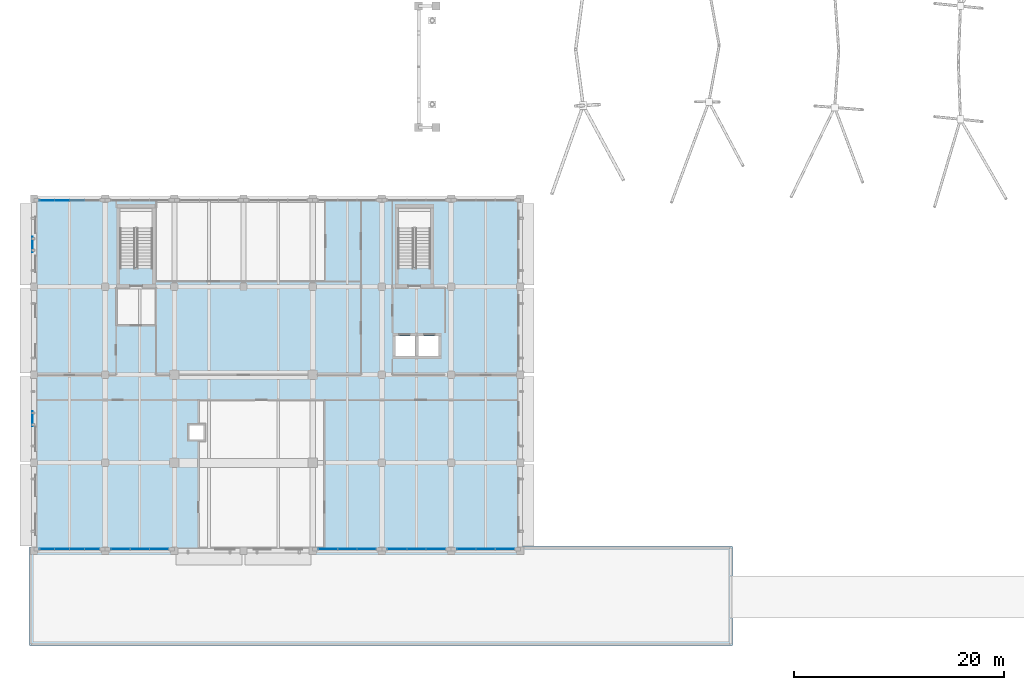
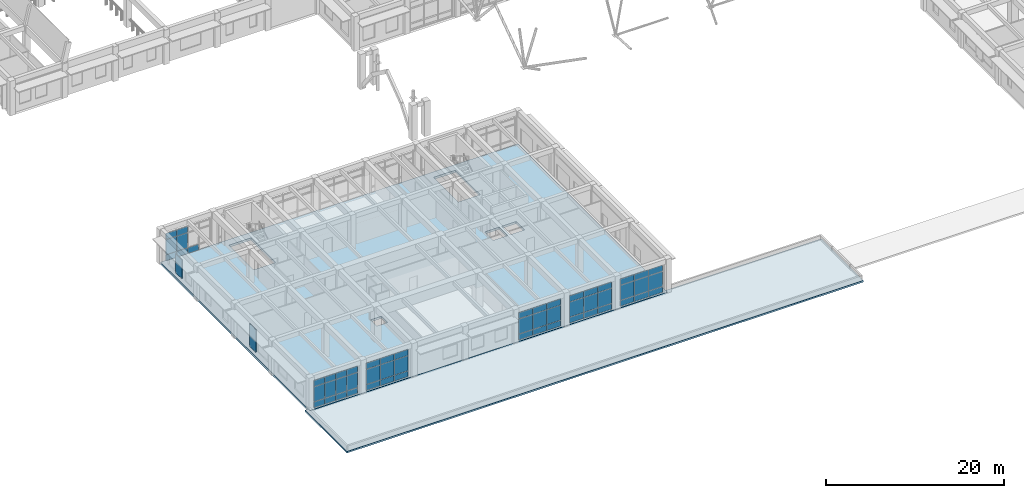
# One storey, part 31 of 75: 57 plates, 2 slabs, 6 elements without a shape of their own.
"""IFC4 building model written with IfcOpenShell, lengths in metres."""

import ifcopenshell
import ifcopenshell.guid

model = None  # the IFC model being written
_history = None  # IfcOwnerHistory: only IFC2X3 demands one
_inside = {}  # id of a spatial element -> (the spatial element, [elements in it])
_under = {}  # id of a project, library or spatial element -> (it, [spatial elements below it])
_declared = {}  # id of a project -> (the project, [libraries it declares])
_typed = {}  # id of a type object -> (the type object, [elements of that type])
_made_of = {}  # id of a material, layer set ... -> (it, [elements and type objects made of it])


def new_model(schema):
    """Start an empty IFC model of exactly this schema.

    Asked for "IFC4X3", IfcOpenShell would pick the latest addendum, in which some entities
    have other attributes; the version numbers below select the first issue.
    IFC2X3 requires an IfcOwnerHistory on every rooted entity: one is made here for all.
    """
    global model, _history
    if schema == "IFC4X3":
        model = ifcopenshell.file(schema_version=(4, 3, 0, 0))
    else:
        model = ifcopenshell.file(schema=schema)
    _inside.clear()
    _under.clear()
    _declared.clear()
    _typed.clear()
    _made_of.clear()
    _history = None
    if model.schema == "IFC2X3":
        org = make("IfcOrganization", Name="unknown")
        user = make(
            "IfcPersonAndOrganization",
            ThePerson=make("IfcPerson", FamilyName="unknown"),
            TheOrganization=org,
        )
        app = make(
            "IfcApplication",
            ApplicationDeveloper=org,
            Version="unknown",
            ApplicationFullName="unknown",
            ApplicationIdentifier="unknown",
        )
        _history = make(
            "IfcOwnerHistory",
            OwningUser=user,
            OwningApplication=app,
            ChangeAction="ADDED",
            CreationDate=0,
        )
    return model


def make(cls, **values):
    """One entity of the class cls with the attributes given. An attribute that is None is left unset."""
    return model.create_entity(
        cls, **{name: value for name, value in values.items() if value is not None}
    )


def rooted(cls, **values):
    """An entity with a GlobalId (a new one), such as an element, a storey or a relation."""
    return make(cls, GlobalId=ifcopenshell.guid.new(), OwnerHistory=_history, **values)


def si_unit(unit_type, name, prefix=None):
    """IfcSIUnit, for example si_unit("LENGTHUNIT", "METRE", prefix="MILLI")."""
    return make("IfcSIUnit", UnitType=unit_type, Prefix=prefix, Name=name)


def assignment(units):
    """IfcUnitAssignment: the units of a project."""
    return None if units is None else make("IfcUnitAssignment", Units=units)


def point(xyz):
    """IfcCartesianPoint."""
    return None if xyz is None else make("IfcCartesianPoint", Coordinates=xyz)


def direction(xyz):
    """IfcDirection."""
    return None if xyz is None else make("IfcDirection", DirectionRatios=xyz)


def frame(location, z_axis=None, x_axis=None):
    """IfcAxis2Placement3D, a coordinate frame: its origin and axes. An axis left out is left unset."""
    return make(
        "IfcAxis2Placement3D",
        Location=point(location),
        Axis=direction(z_axis),
        RefDirection=direction(x_axis),
    )


def frame_2d(location, x_axis=None):
    """IfcAxis2Placement2D, a coordinate frame in the plane: its origin and x axis."""
    return make(
        "IfcAxis2Placement2D", Location=point(location), RefDirection=direction(x_axis)
    )


def origin():
    """The frame at (0, 0, 0) with its axes left unset."""
    return frame((0.0, 0.0, 0.0))


def origin_2d():
    """The frame at (0, 0) in the plane with its x axis left unset."""
    return frame_2d((0.0, 0.0))


def place(relative_to, where):
    """IfcLocalPlacement: puts the frame where relative to a parent placement (None: the world)."""
    return make(
        "IfcLocalPlacement", PlacementRelTo=relative_to, RelativePlacement=where
    )


def context(
    kind, dimensions, precision=None, world=None, true_north=None, identifier=None
):
    """IfcGeometricRepresentationContext, for example the 3D "Model" context."""
    return make(
        "IfcGeometricRepresentationContext",
        ContextIdentifier=identifier,
        ContextType=kind,
        CoordinateSpaceDimension=dimensions,
        Precision=precision,
        WorldCoordinateSystem=world,
        TrueNorth=true_north,
    )


def subcontext(parent, identifier, kind, view, scale=None):
    """IfcGeometricRepresentationSubContext, for example "Body" below "Model"."""
    return make(
        "IfcGeometricRepresentationSubContext",
        ContextIdentifier=identifier,
        ContextType=kind,
        ParentContext=parent,
        TargetScale=scale,
        TargetView=view,
    )


def project(units=None, contexts=None):
    """IfcProject with its units and contexts."""
    return rooted(
        "IfcProject",
        Name="project",
        RepresentationContexts=contexts,
        UnitsInContext=assignment(units),
    )


def spatial(cls, under=None, at=None, **own):
    """A site, building, storey or space (cls), placed at a placement, below another one or the project."""
    s = rooted(cls, ObjectPlacement=at, **own)
    if under is not None:
        _under.setdefault(under.id(), (under, []))[1].append(s)
    return s


def polyline(points):
    """IfcPolyline through the points."""
    return make("IfcPolyline", Points=[point(p) for p in points])


def profile(cls, at=None, kind="AREA", **sizes):
    """A parametric profile (cls). Its sizes go by their IFC names, for example OverallWidth=200.0."""
    return make(cls, ProfileType=kind, Position=at, **sizes)


def rectangle(**sizes):
    """IfcRectangleProfileDef."""
    return profile("IfcRectangleProfileDef", **sizes)


def outline(outer, holes=None, kind="AREA"):
    """IfcArbitraryClosedProfileDef: a profile drawn as a closed curve; with holes, ...WithVoids."""
    if holes is None:
        return make("IfcArbitraryClosedProfileDef", ProfileType=kind, OuterCurve=outer)
    return make(
        "IfcArbitraryProfileDefWithVoids",
        ProfileType=kind,
        OuterCurve=outer,
        InnerCurves=holes,
    )


def extrude(swept, where, along, depth):
    """IfcExtrudedAreaSolid: the profile swept, set in the frame where, extruded along a direction by depth."""
    return make(
        "IfcExtrudedAreaSolid",
        SweptArea=swept,
        Position=where,
        ExtrudedDirection=direction(along),
        Depth=depth,
    )


def shape(context_of_items, identifier, shape_type, items):
    """IfcShapeRepresentation: the items that make up one representation, for example the "Body"."""
    return make(
        "IfcShapeRepresentation",
        ContextOfItems=context_of_items,
        RepresentationIdentifier=identifier,
        RepresentationType=shape_type,
        Items=items,
    )


def material(Name=None, Category=None):
    """IfcMaterial."""
    return make("IfcMaterial", Name=Name, Category=Category)


def layer(
    of_material, thickness, ventilated=None, Name=None, Category=None, Priority=None
):
    """IfcMaterialLayer: one layer of a wall or slab, of a material (None: an air gap)."""
    return make(
        "IfcMaterialLayer",
        Material=of_material,
        LayerThickness=thickness,
        IsVentilated=ventilated,
        Name=Name,
        Category=Category,
        Priority=Priority,
    )


def layer_set(layers, Name=None):
    """IfcMaterialLayerSet."""
    return make("IfcMaterialLayerSet", MaterialLayers=layers, LayerSetName=Name)


def made_of(thing, what):
    """Note that an element or type object is made of a material, layer set ...; save() writes the relation."""
    if what is not None:
        _made_of.setdefault(what.id(), (what, []))[1].append(thing)
    return thing


def type_object(cls, material=None, **own):
    """A type object (cls), such as IfcWallType, which elements share."""
    return made_of(rooted(cls, **own), material)


def element(
    cls,
    number,
    at=None,
    inside=None,
    cuts=None,
    type_object=None,
    material=None,
    context=None,
    identifier="Body",
    shape_type=None,
    held_by="IfcProductDefinitionShape",
    body=None,
    shapes=None,
    **own,
):
    """One element of the class cls, such as IfcWall. Its Tag is "e" and its number.

    at: its placement. inside: the storey or other place that contains it. cuts: it is an
    opening in that element (IfcRelVoidsElement). A single representation is given by context,
    identifier, shape_type and body (its items); several are given by shapes. held_by: the class
    of the entity that holds the representations. save() writes the other relations.
    """
    e = rooted(cls, Tag="e%d" % number, ObjectPlacement=at, **own)
    if body is not None:
        shapes = [shape(context, identifier, shape_type, body)]
    if shapes is not None:
        e.Representation = make(held_by, Representations=shapes)
    if inside is not None:
        _inside.setdefault(inside.id(), (inside, []))[1].append(e)
    if cuts is not None:
        rooted(
            "IfcRelVoidsElement", RelatingBuildingElement=cuts, RelatedOpeningElement=e
        )
    if type_object is not None:
        _typed.setdefault(type_object.id(), (type_object, []))[1].append(e)
    return made_of(e, material)


def aggregate(whole, parts):
    """IfcRelAggregates: a whole, such as a stair, and the parts it consists of."""
    return rooted("IfcRelAggregates", RelatingObject=whole, RelatedObjects=parts)


def save(model, path):
    """Write the relations noted so far, then the file.

    IfcRelAggregates (storeys below a building ...), IfcRelContainedInSpatialStructure (elements
    in a storey), IfcRelDefinesByType, IfcRelAssociatesMaterial and IfcRelDeclares: one each for
    every whole, place, type object, material and project.
    """
    for whole, parts in _under.values():
        aggregate(whole, parts)
    for where, things in _inside.values():
        rooted(
            "IfcRelContainedInSpatialStructure",
            RelatedElements=things,
            RelatingStructure=where,
        )
    for kind, things in _typed.values():
        rooted("IfcRelDefinesByType", RelatedObjects=things, RelatingType=kind)
    for what, things in _made_of.values():
        rooted("IfcRelAssociatesMaterial", RelatedObjects=things, RelatingMaterial=what)
    for by, libraries in _declared.values():
        rooted("IfcRelDeclares", RelatingContext=by, RelatedDefinitions=libraries)
    model.write(path)


model = new_model("IFC4")

# Units and contexts
model_context = context("Model", 3, precision=1e-05, world=origin(), true_north=direction((0.0, 1.0)))
body_context = subcontext(model_context, "Body", "Model", "MODEL_VIEW")
ifc_project = project(units=[si_unit("LENGTHUNIT", "METRE"), si_unit("AREAUNIT", "SQUARE_METRE"), si_unit("VOLUMEUNIT", "CUBIC_METRE"), si_unit("PLANEANGLEUNIT", "RADIAN"), si_unit("MASSUNIT", "GRAM", prefix="KILO")], contexts=[model_context])

# Site, building, storey
site_placement = place(None, origin())
site = spatial("IfcSite", under=ifc_project, at=site_placement, CompositionType="ELEMENT")
building_placement = place(site_placement, origin())
building = spatial("IfcBuilding", under=site, at=building_placement, Name="Kolvaren Faculty of Natural Sciences", CompositionType="ELEMENT")
storey_placement = place(building_placement, frame((0.0, 0.0, 5.39990234375)))
storey = spatial("IfcBuildingStorey", under=building, at=storey_placement, Name="L01", CompositionType="ELEMENT", Elevation=5.39990234375)

# Curtain wall, plates
ifc_material_1 = material(Name="Thermally broken anodised aluminium framing", Category="aluminium")
ifc_layer_1 = layer(ifc_material_1, 0.179931640625)
ifc_layer_set_1 = layer_set([ifc_layer_1], Name="Thermally broken anodised aluminium framing")
curtain_wall_type = type_object("IfcCurtainWallType", Name="CommonsCurtainWall_CW02", PredefinedType="NOTDEFINED", material=ifc_layer_set_1)
curtain_wall_1_placement = place(storey_placement, origin())
curtain_wall_1 = element("IfcCurtainWall", 1, at=curtain_wall_1_placement, inside=storey, type_object=curtain_wall_type, Name="L01 unitised curtain wall CW-02 (CW-L01-018)", PredefinedType="NOTDEFINED")
ifc_material_2 = material(Name="Double low-E solar control insulated glazing", Category="glass")
ifc_layer_2 = layer(ifc_material_2, 0.035888671875)
ifc_layer_set_2 = layer_set([ifc_layer_2], Name="Double low-E solar control insulated glazing")
plate_type_1 = type_object("IfcPlateType", Name="EnvelopePlate_CWPGL1", PredefinedType="CURTAIN_PANEL", material=ifc_layer_set_2)
plate_1_placement = place(storey_placement, frame((44.933349609375, 8.760009765625, 0.920166015625), z_axis=(0.0, 0.0, 1.0), x_axis=(-1.0, 0.0, 0.0)))
plate_1 = element("IfcPlate", 2, at=plate_1_placement, type_object=plate_type_1, Name="CW-L01-018 panel 1 V1", PredefinedType="CURTAIN_PANEL", context=body_context, shape_type="SweptSolid", body=[
    extrude(rectangle(XDim=1.783203125, YDim=0.035888671875, at=origin_2d()), origin(), (0.0, 0.0, 1.0), 2.044921875),
])
plate_2_placement = place(storey_placement, frame((43.10009765625, 8.760009765625, 0.920166015625), z_axis=(0.0, 0.0, 1.0), x_axis=(-1.0, 0.0, 0.0)))
plate_2 = element("IfcPlate", 3, at=plate_2_placement, type_object=plate_type_1, Name="CW-L01-018 panel 2 V1", PredefinedType="CURTAIN_PANEL", context=body_context, shape_type="SweptSolid", body=[
    extrude(rectangle(XDim=1.783203125, YDim=0.035888671875, at=origin_2d()), origin(), (0.0, 0.0, 1.0), 2.044921875),
])
plate_3_placement = place(storey_placement, frame((41.2666015625, 8.760009765625, 0.920166015625), z_axis=(0.0, 0.0, 1.0), x_axis=(-1.0, 0.0, 0.0)))
plate_3 = element("IfcPlate", 4, at=plate_3_placement, type_object=plate_type_1, Name="CW-L01-018 panel 3 V1", PredefinedType="CURTAIN_PANEL", context=body_context, shape_type="SweptSolid", body=[
    extrude(rectangle(XDim=1.783203125, YDim=0.035888671875, at=origin_2d()), origin(), (0.0, 0.0, 1.0), 2.044921875),
])

curtain_wall_2_placement = place(storey_placement, origin())
curtain_wall_2 = element("IfcCurtainWall", 5, at=curtain_wall_2_placement, inside=storey, type_object=curtain_wall_type, Name="L01 unitised curtain wall CW-02 (CW-L01-019)", PredefinedType="NOTDEFINED")
plate_4_placement = place(storey_placement, frame((38.333251953125, 8.760009765625, 0.920166015625), z_axis=(0.0, 0.0, 1.0), x_axis=(-1.0, 0.0, 0.0)))
plate_4 = element("IfcPlate", 6, at=plate_4_placement, type_object=plate_type_1, Name="CW-L01-019 panel 1 V1", PredefinedType="CURTAIN_PANEL", context=body_context, shape_type="SweptSolid", body=[
    extrude(rectangle(XDim=1.783203125, YDim=0.035888671875, at=origin_2d()), origin(), (0.0, 0.0, 1.0), 2.044921875),
])
plate_5_placement = place(storey_placement, frame((36.5, 8.760009765625, 0.920166015625), z_axis=(0.0, 0.0, 1.0), x_axis=(-1.0, 0.0, 0.0)))
plate_5 = element("IfcPlate", 7, at=plate_5_placement, type_object=plate_type_1, Name="CW-L01-019 panel 2 V1", PredefinedType="CURTAIN_PANEL", context=body_context, shape_type="SweptSolid", body=[
    extrude(rectangle(XDim=1.783203125, YDim=0.035888671875, at=origin_2d()), origin(), (0.0, 0.0, 1.0), 2.044921875),
])
plate_6_placement = place(storey_placement, frame((34.666748046875, 8.760009765625, 0.920166015625), z_axis=(0.0, 0.0, 1.0), x_axis=(-1.0, 0.0, 0.0)))
plate_6 = element("IfcPlate", 8, at=plate_6_placement, type_object=plate_type_1, Name="CW-L01-019 panel 3 V1", PredefinedType="CURTAIN_PANEL", context=body_context, shape_type="SweptSolid", body=[
    extrude(rectangle(XDim=1.783203125, YDim=0.035888671875, at=origin_2d()), origin(), (0.0, 0.0, 1.0), 2.044921875),
])

curtain_wall_3_placement = place(storey_placement, origin())
curtain_wall_3 = element("IfcCurtainWall", 9, at=curtain_wall_3_placement, inside=storey, type_object=curtain_wall_type, Name="L01 unitised curtain wall CW-02 (CW-L01-020)", PredefinedType="NOTDEFINED")
plate_7_placement = place(storey_placement, frame((31.7333984375, 8.760009765625, 0.920166015625), z_axis=(0.0, 0.0, 1.0), x_axis=(-1.0, 0.0, 0.0)))
plate_7 = element("IfcPlate", 10, at=plate_7_placement, type_object=plate_type_1, Name="CW-L01-020 panel 1 V1", PredefinedType="CURTAIN_PANEL", context=body_context, shape_type="SweptSolid", body=[
    extrude(rectangle(XDim=1.783203125, YDim=0.035888671875, at=origin_2d()), origin(), (0.0, 0.0, 1.0), 2.044921875),
])
plate_8_placement = place(storey_placement, frame((29.89990234375, 8.760009765625, 0.920166015625), z_axis=(0.0, 0.0, 1.0), x_axis=(-1.0, 0.0, 0.0)))
plate_8 = element("IfcPlate", 11, at=plate_8_placement, type_object=plate_type_1, Name="CW-L01-020 panel 2 V1", PredefinedType="CURTAIN_PANEL", context=body_context, shape_type="SweptSolid", body=[
    extrude(rectangle(XDim=1.783203125, YDim=0.035888671875, at=origin_2d()), origin(), (0.0, 0.0, 1.0), 2.044921875),
])
plate_9_placement = place(storey_placement, frame((28.066650390625, 8.760009765625, 0.920166015625), z_axis=(0.0, 0.0, 1.0), x_axis=(-1.0, 0.0, 0.0)))
plate_9 = element("IfcPlate", 12, at=plate_9_placement, type_object=plate_type_1, Name="CW-L01-020 panel 3 V1", PredefinedType="CURTAIN_PANEL", context=body_context, shape_type="SweptSolid", body=[
    extrude(rectangle(XDim=1.783203125, YDim=0.035888671875, at=origin_2d()), origin(), (0.0, 0.0, 1.0), 2.044921875),
])

curtain_wall_4_placement = place(storey_placement, origin())
curtain_wall_4 = element("IfcCurtainWall", 13, at=curtain_wall_4_placement, inside=storey, type_object=curtain_wall_type, Name="L01 unitised curtain wall CW-02 (CW-L01-021)", PredefinedType="NOTDEFINED")
plate_10_placement = place(storey_placement, frame((11.933349609375, 8.760009765625, 0.920166015625), z_axis=(0.0, 0.0, 1.0), x_axis=(-1.0, 0.0, 0.0)))
plate_10 = element("IfcPlate", 14, at=plate_10_placement, type_object=plate_type_1, Name="CW-L01-021 panel 1 V1", PredefinedType="CURTAIN_PANEL", context=body_context, shape_type="SweptSolid", body=[
    extrude(rectangle(XDim=1.783203125, YDim=0.035888671875, at=origin_2d()), origin(), (0.0, 0.0, 1.0), 2.044921875),
])
plate_11_placement = place(storey_placement, frame((10.10009765625, 8.760009765625, 0.920166015625), z_axis=(0.0, 0.0, 1.0), x_axis=(-1.0, 0.0, 0.0)))
plate_11 = element("IfcPlate", 15, at=plate_11_placement, type_object=plate_type_1, Name="CW-L01-021 panel 2 V1", PredefinedType="CURTAIN_PANEL", context=body_context, shape_type="SweptSolid", body=[
    extrude(rectangle(XDim=1.783203125, YDim=0.035888671875, at=origin_2d()), origin(), (0.0, 0.0, 1.0), 2.044921875),
])
plate_12_placement = place(storey_placement, frame((8.2666015625, 8.760009765625, 0.920166015625), z_axis=(0.0, 0.0, 1.0), x_axis=(-1.0, 0.0, 0.0)))
plate_12 = element("IfcPlate", 16, at=plate_12_placement, type_object=plate_type_1, Name="CW-L01-021 panel 3 V1", PredefinedType="CURTAIN_PANEL", context=body_context, shape_type="SweptSolid", body=[
    extrude(rectangle(XDim=1.783203125, YDim=0.035888671875, at=origin_2d()), origin(), (0.0, 0.0, 1.0), 2.044921875),
])

curtain_wall_5_placement = place(storey_placement, origin())
curtain_wall_5 = element("IfcCurtainWall", 17, at=curtain_wall_5_placement, inside=storey, type_object=curtain_wall_type, Name="L01 unitised curtain wall CW-02 (CW-L01-022)", PredefinedType="NOTDEFINED")
plate_13_placement = place(storey_placement, frame((5.53759765625, 8.760009765625, 0.920166015625), z_axis=(0.0, 0.0, 1.0), x_axis=(-1.0, 0.0, 0.0)))
plate_13 = element("IfcPlate", 18, at=plate_13_placement, type_object=plate_type_1, Name="CW-L01-022 panel 1 V1", PredefinedType="CURTAIN_PANEL", context=body_context, shape_type="SweptSolid", body=[
    extrude(rectangle(XDim=1.375, YDim=0.035888671875, at=origin_2d()), origin(), (0.0, 0.0, 1.0), 2.044921875),
])
plate_14_placement = place(storey_placement, frame((4.112548828125, 8.760009765625, 0.920166015625), z_axis=(0.0, 0.0, 1.0), x_axis=(-1.0, 0.0, 0.0)))
plate_14 = element("IfcPlate", 19, at=plate_14_placement, type_object=plate_type_1, Name="CW-L01-022 panel 2 V1", PredefinedType="CURTAIN_PANEL", context=body_context, shape_type="SweptSolid", body=[
    extrude(rectangle(XDim=1.375, YDim=0.035888671875, at=origin_2d()), origin(), (0.0, 0.0, 1.0), 2.044921875),
])
plate_15_placement = place(storey_placement, frame((2.6875, 8.760009765625, 0.920166015625), z_axis=(0.0, 0.0, 1.0), x_axis=(-1.0, 0.0, 0.0)))
plate_15 = element("IfcPlate", 20, at=plate_15_placement, type_object=plate_type_1, Name="CW-L01-022 panel 3 V1", PredefinedType="CURTAIN_PANEL", context=body_context, shape_type="SweptSolid", body=[
    extrude(rectangle(XDim=1.375, YDim=0.035888671875, at=origin_2d()), origin(), (0.0, 0.0, 1.0), 2.044921875),
])
plate_16_placement = place(storey_placement, frame((1.262451171875, 8.760009765625, 0.920166015625), z_axis=(0.0, 0.0, 1.0), x_axis=(-1.0, 0.0, 0.0)))
plate_16 = element("IfcPlate", 21, at=plate_16_placement, type_object=plate_type_1, Name="CW-L01-022 panel 4 V1", PredefinedType="CURTAIN_PANEL", context=body_context, shape_type="SweptSolid", body=[
    extrude(rectangle(XDim=1.375, YDim=0.035888671875, at=origin_2d()), origin(), (0.0, 0.0, 1.0), 2.044921875),
])

curtain_wall_6_placement = place(storey_placement, origin())
curtain_wall_6 = element("IfcCurtainWall", 22, at=curtain_wall_6_placement, inside=storey, type_object=curtain_wall_type, Name="L01 unitised curtain wall CW-02 (CW-L01-023)", PredefinedType="NOTDEFINED")
plate_17_placement = place(storey_placement, frame((1.262451171875, 42.0400390625, 0.920166015625), z_axis=(0.0, 0.0, 1.0), x_axis=(1.0, 0.0, 0.0)))
plate_17 = element("IfcPlate", 23, at=plate_17_placement, type_object=plate_type_1, Name="CW-L01-023 panel 1 V1", PredefinedType="CURTAIN_PANEL", context=body_context, shape_type="SweptSolid", body=[
    extrude(rectangle(XDim=1.375, YDim=0.035888671875, at=origin_2d()), origin(), (0.0, 0.0, 1.0), 2.044921875),
])
plate_18_placement = place(storey_placement, frame((2.6875, 42.0400390625, 0.920166015625), z_axis=(0.0, 0.0, 1.0), x_axis=(1.0, 0.0, 0.0)))
plate_18 = element("IfcPlate", 24, at=plate_18_placement, type_object=plate_type_1, Name="CW-L01-023 panel 2 V1", PredefinedType="CURTAIN_PANEL", context=body_context, shape_type="SweptSolid", body=[
    extrude(rectangle(XDim=1.375, YDim=0.035888671875, at=origin_2d()), origin(), (0.0, 0.0, 1.0), 2.044921875),
])

# Plate
ifc_layer_3 = layer(ifc_material_2, 0.035888671875)
ifc_layer_set_3 = layer_set([ifc_layer_3], Name="Double low-E solar control insulated glazing")
plate_type_2 = type_object("IfcPlateType", Name="EnvelopePlate_CWPGL2", PredefinedType="CURTAIN_PANEL", material=ifc_layer_set_3)
plate_19_placement = place(storey_placement, frame((44.933349609375, 8.760009765625, 3.005126953125), z_axis=(0.0, 0.0, 1.0), x_axis=(-1.0, 0.0, 0.0)))
plate_19 = element("IfcPlate", 25, at=plate_19_placement, type_object=plate_type_2, Name="CW-L01-018 panel 1 V2", PredefinedType="CURTAIN_PANEL", context=body_context, shape_type="SweptSolid", body=[
    extrude(rectangle(XDim=1.783203125, YDim=0.035888671875, at=origin_2d()), origin(), (0.0, 0.0, 1.0), 0.830078125),
])

plate_20_placement = place(storey_placement, frame((43.10009765625, 8.760009765625, 3.005126953125), z_axis=(0.0, 0.0, 1.0), x_axis=(-1.0, 0.0, 0.0)))
plate_20 = element("IfcPlate", 26, at=plate_20_placement, type_object=plate_type_2, Name="CW-L01-018 panel 2 V2", PredefinedType="CURTAIN_PANEL", context=body_context, shape_type="SweptSolid", body=[
    extrude(rectangle(XDim=1.783203125, YDim=0.035888671875, at=origin_2d()), origin(), (0.0, 0.0, 1.0), 0.830078125),
])

plate_21_placement = place(storey_placement, frame((41.2666015625, 8.760009765625, 3.005126953125), z_axis=(0.0, 0.0, 1.0), x_axis=(-1.0, 0.0, 0.0)))
plate_21 = element("IfcPlate", 27, at=plate_21_placement, type_object=plate_type_2, Name="CW-L01-018 panel 3 V2", PredefinedType="CURTAIN_PANEL", context=body_context, shape_type="SweptSolid", body=[
    extrude(rectangle(XDim=1.783203125, YDim=0.035888671875, at=origin_2d()), origin(), (0.0, 0.0, 1.0), 0.830078125),
])

plate_22_placement = place(storey_placement, frame((38.333251953125, 8.760009765625, 3.005126953125), z_axis=(0.0, 0.0, 1.0), x_axis=(-1.0, 0.0, 0.0)))
plate_22 = element("IfcPlate", 28, at=plate_22_placement, type_object=plate_type_2, Name="CW-L01-019 panel 1 V2", PredefinedType="CURTAIN_PANEL", context=body_context, shape_type="SweptSolid", body=[
    extrude(rectangle(XDim=1.783203125, YDim=0.035888671875, at=origin_2d()), origin(), (0.0, 0.0, 1.0), 0.830078125),
])

plate_23_placement = place(storey_placement, frame((36.5, 8.760009765625, 3.005126953125), z_axis=(0.0, 0.0, 1.0), x_axis=(-1.0, 0.0, 0.0)))
plate_23 = element("IfcPlate", 29, at=plate_23_placement, type_object=plate_type_2, Name="CW-L01-019 panel 2 V2", PredefinedType="CURTAIN_PANEL", context=body_context, shape_type="SweptSolid", body=[
    extrude(rectangle(XDim=1.783203125, YDim=0.035888671875, at=origin_2d()), origin(), (0.0, 0.0, 1.0), 0.830078125),
])

plate_24_placement = place(storey_placement, frame((34.666748046875, 8.760009765625, 3.005126953125), z_axis=(0.0, 0.0, 1.0), x_axis=(-1.0, 0.0, 0.0)))
plate_24 = element("IfcPlate", 30, at=plate_24_placement, type_object=plate_type_2, Name="CW-L01-019 panel 3 V2", PredefinedType="CURTAIN_PANEL", context=body_context, shape_type="SweptSolid", body=[
    extrude(rectangle(XDim=1.783203125, YDim=0.035888671875, at=origin_2d()), origin(), (0.0, 0.0, 1.0), 0.830078125),
])

plate_25_placement = place(storey_placement, frame((31.7333984375, 8.760009765625, 3.005126953125), z_axis=(0.0, 0.0, 1.0), x_axis=(-1.0, 0.0, 0.0)))
plate_25 = element("IfcPlate", 31, at=plate_25_placement, type_object=plate_type_2, Name="CW-L01-020 panel 1 V2", PredefinedType="CURTAIN_PANEL", context=body_context, shape_type="SweptSolid", body=[
    extrude(rectangle(XDim=1.783203125, YDim=0.035888671875, at=origin_2d()), origin(), (0.0, 0.0, 1.0), 0.830078125),
])

plate_26_placement = place(storey_placement, frame((29.89990234375, 8.760009765625, 3.005126953125), z_axis=(0.0, 0.0, 1.0), x_axis=(-1.0, 0.0, 0.0)))
plate_26 = element("IfcPlate", 32, at=plate_26_placement, type_object=plate_type_2, Name="CW-L01-020 panel 2 V2", PredefinedType="CURTAIN_PANEL", context=body_context, shape_type="SweptSolid", body=[
    extrude(rectangle(XDim=1.783203125, YDim=0.035888671875, at=origin_2d()), origin(), (0.0, 0.0, 1.0), 0.830078125),
])

plate_27_placement = place(storey_placement, frame((28.066650390625, 8.760009765625, 3.005126953125), z_axis=(0.0, 0.0, 1.0), x_axis=(-1.0, 0.0, 0.0)))
plate_27 = element("IfcPlate", 33, at=plate_27_placement, type_object=plate_type_2, Name="CW-L01-020 panel 3 V2", PredefinedType="CURTAIN_PANEL", context=body_context, shape_type="SweptSolid", body=[
    extrude(rectangle(XDim=1.783203125, YDim=0.035888671875, at=origin_2d()), origin(), (0.0, 0.0, 1.0), 0.830078125),
])

plate_28_placement = place(storey_placement, frame((11.933349609375, 8.760009765625, 3.005126953125), z_axis=(0.0, 0.0, 1.0), x_axis=(-1.0, 0.0, 0.0)))
plate_28 = element("IfcPlate", 34, at=plate_28_placement, type_object=plate_type_2, Name="CW-L01-021 panel 1 V2", PredefinedType="CURTAIN_PANEL", context=body_context, shape_type="SweptSolid", body=[
    extrude(rectangle(XDim=1.783203125, YDim=0.035888671875, at=origin_2d()), origin(), (0.0, 0.0, 1.0), 0.830078125),
])

plate_29_placement = place(storey_placement, frame((10.10009765625, 8.760009765625, 3.005126953125), z_axis=(0.0, 0.0, 1.0), x_axis=(-1.0, 0.0, 0.0)))
plate_29 = element("IfcPlate", 35, at=plate_29_placement, type_object=plate_type_2, Name="CW-L01-021 panel 2 V2", PredefinedType="CURTAIN_PANEL", context=body_context, shape_type="SweptSolid", body=[
    extrude(rectangle(XDim=1.783203125, YDim=0.035888671875, at=origin_2d()), origin(), (0.0, 0.0, 1.0), 0.830078125),
])

plate_30_placement = place(storey_placement, frame((8.2666015625, 8.760009765625, 3.005126953125), z_axis=(0.0, 0.0, 1.0), x_axis=(-1.0, 0.0, 0.0)))
plate_30 = element("IfcPlate", 36, at=plate_30_placement, type_object=plate_type_2, Name="CW-L01-021 panel 3 V2", PredefinedType="CURTAIN_PANEL", context=body_context, shape_type="SweptSolid", body=[
    extrude(rectangle(XDim=1.783203125, YDim=0.035888671875, at=origin_2d()), origin(), (0.0, 0.0, 1.0), 0.830078125),
])

plate_31_placement = place(storey_placement, frame((5.53759765625, 8.760009765625, 3.005126953125), z_axis=(0.0, 0.0, 1.0), x_axis=(-1.0, 0.0, 0.0)))
plate_31 = element("IfcPlate", 37, at=plate_31_placement, type_object=plate_type_2, Name="CW-L01-022 panel 1 V2", PredefinedType="CURTAIN_PANEL", context=body_context, shape_type="SweptSolid", body=[
    extrude(rectangle(XDim=1.375, YDim=0.035888671875, at=origin_2d()), origin(), (0.0, 0.0, 1.0), 0.830078125),
])

plate_32_placement = place(storey_placement, frame((4.112548828125, 8.760009765625, 3.005126953125), z_axis=(0.0, 0.0, 1.0), x_axis=(-1.0, 0.0, 0.0)))
plate_32 = element("IfcPlate", 38, at=plate_32_placement, type_object=plate_type_2, Name="CW-L01-022 panel 2 V2", PredefinedType="CURTAIN_PANEL", context=body_context, shape_type="SweptSolid", body=[
    extrude(rectangle(XDim=1.375, YDim=0.035888671875, at=origin_2d()), origin(), (0.0, 0.0, 1.0), 0.830078125),
])

plate_33_placement = place(storey_placement, frame((2.6875, 8.760009765625, 3.005126953125), z_axis=(0.0, 0.0, 1.0), x_axis=(-1.0, 0.0, 0.0)))
plate_33 = element("IfcPlate", 39, at=plate_33_placement, type_object=plate_type_2, Name="CW-L01-022 panel 3 V2", PredefinedType="CURTAIN_PANEL", context=body_context, shape_type="SweptSolid", body=[
    extrude(rectangle(XDim=1.375, YDim=0.035888671875, at=origin_2d()), origin(), (0.0, 0.0, 1.0), 0.830078125),
])

plate_34_placement = place(storey_placement, frame((1.262451171875, 8.760009765625, 3.005126953125), z_axis=(0.0, 0.0, 1.0), x_axis=(-1.0, 0.0, 0.0)))
plate_34 = element("IfcPlate", 40, at=plate_34_placement, type_object=plate_type_2, Name="CW-L01-022 panel 4 V2", PredefinedType="CURTAIN_PANEL", context=body_context, shape_type="SweptSolid", body=[
    extrude(rectangle(XDim=1.375, YDim=0.035888671875, at=origin_2d()), origin(), (0.0, 0.0, 1.0), 0.830078125),
])

plate_35_placement = place(storey_placement, frame((1.262451171875, 42.0400390625, 3.005126953125), z_axis=(0.0, 0.0, 1.0), x_axis=(1.0, 0.0, 0.0)))
plate_35 = element("IfcPlate", 41, at=plate_35_placement, type_object=plate_type_2, Name="CW-L01-023 panel 1 V2", PredefinedType="CURTAIN_PANEL", context=body_context, shape_type="SweptSolid", body=[
    extrude(rectangle(XDim=1.375, YDim=0.035888671875, at=origin_2d()), origin(), (0.0, 0.0, 1.0), 0.830078125),
])

plate_36_placement = place(storey_placement, frame((2.6875, 42.0400390625, 3.005126953125), z_axis=(0.0, 0.0, 1.0), x_axis=(1.0, 0.0, 0.0)))
plate_36 = element("IfcPlate", 42, at=plate_36_placement, type_object=plate_type_2, Name="CW-L01-023 panel 2 V2", PredefinedType="CURTAIN_PANEL", context=body_context, shape_type="SweptSolid", body=[
    extrude(rectangle(XDim=1.375, YDim=0.035888671875, at=origin_2d()), origin(), (0.0, 0.0, 1.0), 0.830078125),
])

ifc_material_3 = material(Name="Insulated anodised aluminium spandrel panel", Category="aluminium")
ifc_layer_4 = layer(ifc_material_3, 0.050048828125)
ifc_layer_set_4 = layer_set([ifc_layer_4], Name="Insulated anodised aluminium spandrel panel")
plate_type_3 = type_object("IfcPlateType", Name="EnvelopePlate_CWPSP1", PredefinedType="SHEET", material=ifc_layer_set_4)
plate_37_placement = place(storey_placement, frame((44.933349609375, 8.760009765625, 0.10009765625), z_axis=(0.0, 0.0, 1.0), x_axis=(-1.0, 0.0, 0.0)))
plate_37 = element("IfcPlate", 43, at=plate_37_placement, type_object=plate_type_3, Name="CW-L01-018 panel 1 SP", PredefinedType="SHEET", context=body_context, shape_type="SweptSolid", body=[
    extrude(rectangle(XDim=1.783203125, YDim=0.050048828125, at=origin_2d()), origin(), (0.0, 0.0, 1.0), 0.780029296875),
])

plate_38_placement = place(storey_placement, frame((43.10009765625, 8.760009765625, 0.10009765625), z_axis=(0.0, 0.0, 1.0), x_axis=(-1.0, 0.0, 0.0)))
plate_38 = element("IfcPlate", 44, at=plate_38_placement, type_object=plate_type_3, Name="CW-L01-018 panel 2 SP", PredefinedType="SHEET", context=body_context, shape_type="SweptSolid", body=[
    extrude(rectangle(XDim=1.783203125, YDim=0.050048828125, at=origin_2d()), origin(), (0.0, 0.0, 1.0), 0.780029296875),
])

plate_39_placement = place(storey_placement, frame((41.2666015625, 8.760009765625, 0.10009765625), z_axis=(0.0, 0.0, 1.0), x_axis=(-1.0, 0.0, 0.0)))
plate_39 = element("IfcPlate", 45, at=plate_39_placement, type_object=plate_type_3, Name="CW-L01-018 panel 3 SP", PredefinedType="SHEET", context=body_context, shape_type="SweptSolid", body=[
    extrude(rectangle(XDim=1.783203125, YDim=0.050048828125, at=origin_2d()), origin(), (0.0, 0.0, 1.0), 0.780029296875),
])

aggregate(curtain_wall_1, [plate_37, plate_1, plate_19, plate_38, plate_2, plate_20, plate_39, plate_3, plate_21])

plate_40_placement = place(storey_placement, frame((38.333251953125, 8.760009765625, 0.10009765625), z_axis=(0.0, 0.0, 1.0), x_axis=(-1.0, 0.0, 0.0)))
plate_40 = element("IfcPlate", 46, at=plate_40_placement, type_object=plate_type_3, Name="CW-L01-019 panel 1 SP", PredefinedType="SHEET", context=body_context, shape_type="SweptSolid", body=[
    extrude(rectangle(XDim=1.783203125, YDim=0.050048828125, at=origin_2d()), origin(), (0.0, 0.0, 1.0), 0.780029296875),
])

plate_41_placement = place(storey_placement, frame((36.5, 8.760009765625, 0.10009765625), z_axis=(0.0, 0.0, 1.0), x_axis=(-1.0, 0.0, 0.0)))
plate_41 = element("IfcPlate", 47, at=plate_41_placement, type_object=plate_type_3, Name="CW-L01-019 panel 2 SP", PredefinedType="SHEET", context=body_context, shape_type="SweptSolid", body=[
    extrude(rectangle(XDim=1.783203125, YDim=0.050048828125, at=origin_2d()), origin(), (0.0, 0.0, 1.0), 0.780029296875),
])

plate_42_placement = place(storey_placement, frame((34.666748046875, 8.760009765625, 0.10009765625), z_axis=(0.0, 0.0, 1.0), x_axis=(-1.0, 0.0, 0.0)))
plate_42 = element("IfcPlate", 48, at=plate_42_placement, type_object=plate_type_3, Name="CW-L01-019 panel 3 SP", PredefinedType="SHEET", context=body_context, shape_type="SweptSolid", body=[
    extrude(rectangle(XDim=1.783203125, YDim=0.050048828125, at=origin_2d()), origin(), (0.0, 0.0, 1.0), 0.780029296875),
])

aggregate(curtain_wall_2, [plate_40, plate_4, plate_22, plate_41, plate_5, plate_23, plate_42, plate_6, plate_24])

plate_43_placement = place(storey_placement, frame((31.7333984375, 8.760009765625, 0.10009765625), z_axis=(0.0, 0.0, 1.0), x_axis=(-1.0, 0.0, 0.0)))
plate_43 = element("IfcPlate", 49, at=plate_43_placement, type_object=plate_type_3, Name="CW-L01-020 panel 1 SP", PredefinedType="SHEET", context=body_context, shape_type="SweptSolid", body=[
    extrude(rectangle(XDim=1.783203125, YDim=0.050048828125, at=origin_2d()), origin(), (0.0, 0.0, 1.0), 0.780029296875),
])

plate_44_placement = place(storey_placement, frame((29.89990234375, 8.760009765625, 0.10009765625), z_axis=(0.0, 0.0, 1.0), x_axis=(-1.0, 0.0, 0.0)))
plate_44 = element("IfcPlate", 50, at=plate_44_placement, type_object=plate_type_3, Name="CW-L01-020 panel 2 SP", PredefinedType="SHEET", context=body_context, shape_type="SweptSolid", body=[
    extrude(rectangle(XDim=1.783203125, YDim=0.050048828125, at=origin_2d()), origin(), (0.0, 0.0, 1.0), 0.780029296875),
])

plate_45_placement = place(storey_placement, frame((28.066650390625, 8.760009765625, 0.10009765625), z_axis=(0.0, 0.0, 1.0), x_axis=(-1.0, 0.0, 0.0)))
plate_45 = element("IfcPlate", 51, at=plate_45_placement, type_object=plate_type_3, Name="CW-L01-020 panel 3 SP", PredefinedType="SHEET", context=body_context, shape_type="SweptSolid", body=[
    extrude(rectangle(XDim=1.783203125, YDim=0.050048828125, at=origin_2d()), origin(), (0.0, 0.0, 1.0), 0.780029296875),
])

aggregate(curtain_wall_3, [plate_43, plate_7, plate_25, plate_44, plate_8, plate_26, plate_45, plate_9, plate_27])

plate_46_placement = place(storey_placement, frame((11.933349609375, 8.760009765625, 0.10009765625), z_axis=(0.0, 0.0, 1.0), x_axis=(-1.0, 0.0, 0.0)))
plate_46 = element("IfcPlate", 52, at=plate_46_placement, type_object=plate_type_3, Name="CW-L01-021 panel 1 SP", PredefinedType="SHEET", context=body_context, shape_type="SweptSolid", body=[
    extrude(rectangle(XDim=1.783203125, YDim=0.050048828125, at=origin_2d()), origin(), (0.0, 0.0, 1.0), 0.780029296875),
])

plate_47_placement = place(storey_placement, frame((10.10009765625, 8.760009765625, 0.10009765625), z_axis=(0.0, 0.0, 1.0), x_axis=(-1.0, 0.0, 0.0)))
plate_47 = element("IfcPlate", 53, at=plate_47_placement, type_object=plate_type_3, Name="CW-L01-021 panel 2 SP", PredefinedType="SHEET", context=body_context, shape_type="SweptSolid", body=[
    extrude(rectangle(XDim=1.783203125, YDim=0.050048828125, at=origin_2d()), origin(), (0.0, 0.0, 1.0), 0.780029296875),
])

plate_48_placement = place(storey_placement, frame((8.2666015625, 8.760009765625, 0.10009765625), z_axis=(0.0, 0.0, 1.0), x_axis=(-1.0, 0.0, 0.0)))
plate_48 = element("IfcPlate", 54, at=plate_48_placement, type_object=plate_type_3, Name="CW-L01-021 panel 3 SP", PredefinedType="SHEET", context=body_context, shape_type="SweptSolid", body=[
    extrude(rectangle(XDim=1.783203125, YDim=0.050048828125, at=origin_2d()), origin(), (0.0, 0.0, 1.0), 0.780029296875),
])

aggregate(curtain_wall_4, [plate_46, plate_10, plate_28, plate_47, plate_11, plate_29, plate_48, plate_12, plate_30])

plate_49_placement = place(storey_placement, frame((5.53759765625, 8.760009765625, 0.10009765625), z_axis=(0.0, 0.0, 1.0), x_axis=(-1.0, 0.0, 0.0)))
plate_49 = element("IfcPlate", 55, at=plate_49_placement, type_object=plate_type_3, Name="CW-L01-022 panel 1 SP", PredefinedType="SHEET", context=body_context, shape_type="SweptSolid", body=[
    extrude(rectangle(XDim=1.375, YDim=0.050048828125, at=origin_2d()), origin(), (0.0, 0.0, 1.0), 0.780029296875),
])

plate_50_placement = place(storey_placement, frame((4.112548828125, 8.760009765625, 0.10009765625), z_axis=(0.0, 0.0, 1.0), x_axis=(-1.0, 0.0, 0.0)))
plate_50 = element("IfcPlate", 56, at=plate_50_placement, type_object=plate_type_3, Name="CW-L01-022 panel 2 SP", PredefinedType="SHEET", context=body_context, shape_type="SweptSolid", body=[
    extrude(rectangle(XDim=1.375, YDim=0.050048828125, at=origin_2d()), origin(), (0.0, 0.0, 1.0), 0.780029296875),
])

plate_51_placement = place(storey_placement, frame((2.6875, 8.760009765625, 0.10009765625), z_axis=(0.0, 0.0, 1.0), x_axis=(-1.0, 0.0, 0.0)))
plate_51 = element("IfcPlate", 57, at=plate_51_placement, type_object=plate_type_3, Name="CW-L01-022 panel 3 SP", PredefinedType="SHEET", context=body_context, shape_type="SweptSolid", body=[
    extrude(rectangle(XDim=1.375, YDim=0.050048828125, at=origin_2d()), origin(), (0.0, 0.0, 1.0), 0.780029296875),
])

plate_52_placement = place(storey_placement, frame((1.262451171875, 8.760009765625, 0.10009765625), z_axis=(0.0, 0.0, 1.0), x_axis=(-1.0, 0.0, 0.0)))
plate_52 = element("IfcPlate", 58, at=plate_52_placement, type_object=plate_type_3, Name="CW-L01-022 panel 4 SP", PredefinedType="SHEET", context=body_context, shape_type="SweptSolid", body=[
    extrude(rectangle(XDim=1.375, YDim=0.050048828125, at=origin_2d()), origin(), (0.0, 0.0, 1.0), 0.780029296875),
])

aggregate(curtain_wall_5, [plate_49, plate_13, plate_31, plate_50, plate_14, plate_32, plate_51, plate_15, plate_33, plate_52, plate_16, plate_34])

plate_53_placement = place(storey_placement, frame((1.262451171875, 42.0400390625, 0.10009765625), z_axis=(0.0, 0.0, 1.0), x_axis=(1.0, 0.0, 0.0)))
plate_53 = element("IfcPlate", 59, at=plate_53_placement, type_object=plate_type_3, Name="CW-L01-023 panel 1 SP", PredefinedType="SHEET", context=body_context, shape_type="SweptSolid", body=[
    extrude(rectangle(XDim=1.375, YDim=0.050048828125, at=origin_2d()), origin(), (0.0, 0.0, 1.0), 0.780029296875),
])

plate_54_placement = place(storey_placement, frame((2.6875, 42.0400390625, 0.10009765625), z_axis=(0.0, 0.0, 1.0), x_axis=(1.0, 0.0, 0.0)))
plate_54 = element("IfcPlate", 60, at=plate_54_placement, type_object=plate_type_3, Name="CW-L01-023 panel 2 SP", PredefinedType="SHEET", context=body_context, shape_type="SweptSolid", body=[
    extrude(rectangle(XDim=1.375, YDim=0.050048828125, at=origin_2d()), origin(), (0.0, 0.0, 1.0), 0.780029296875),
])

plate_55_placement = place(storey_placement, frame((4.112548828125, 42.0400390625, 0.10009765625), z_axis=(0.0, 0.0, 1.0), x_axis=(1.0, 0.0, 0.0)))
plate_55 = element("IfcPlate", 61, at=plate_55_placement, type_object=plate_type_3, Name="CW-L01-023 panel 3 SP", PredefinedType="SHEET", context=body_context, shape_type="SweptSolid", body=[
    extrude(rectangle(XDim=1.375, YDim=0.050048828125, at=origin_2d()), origin(), (0.0, 0.0, 1.0), 0.780029296875),
])

aggregate(curtain_wall_6, [plate_53, plate_17, plate_35, plate_54, plate_18, plate_36, plate_55])

# Plates
ifc_material_4 = material(Name="Extruded architectural terracotta screen", Category="masonry")
ifc_layer_5 = layer(ifc_material_4, 0.06494140625)
ifc_layer_set_5 = layer_set([ifc_layer_5], Name="Extruded architectural terracotta screen")
plate_type_4 = type_object("IfcPlateType", Name="EnvelopePlate_JL01", PredefinedType="USERDEFINED", material=ifc_layer_set_5)
plate_56_placement = place(storey_placement, frame((-0.139892578125, 37.840087890625, 0.85009765625), z_axis=(0.0, 0.0, 1.0), x_axis=(0.0, 1.0, 0.0)))
element("IfcPlate", 62, at=plate_56_placement, inside=storey, type_object=plate_type_4, Name="L01 perforated terracotta jali sun screen JL-01", ObjectType="SCREEN", PredefinedType="USERDEFINED", context=body_context, shape_type="SweptSolid", body=[
    extrude(rectangle(XDim=1.449951171875, YDim=0.06494140625, at=origin_2d()), origin(), (0.0, 0.0, 1.0), 2.60009765625),
])
ifc_layer_6 = layer(ifc_material_4, 0.06494140625)
ifc_layer_set_6 = layer_set([ifc_layer_6], Name="Extruded architectural terracotta screen")
plate_type_5 = type_object("IfcPlateType", Name="EnvelopePlate_JL03", PredefinedType="USERDEFINED", material=ifc_layer_set_6)
plate_57_placement = place(storey_placement, frame((-0.139892578125, 21.199951171875, 0.85009765625), z_axis=(0.0, 0.0, 1.0), x_axis=(0.0, 1.0, 0.0)))
element("IfcPlate", 63, at=plate_57_placement, inside=storey, type_object=plate_type_5, Name="L01 perforated terracotta jali sun screen JL-03", ObjectType="SCREEN", PredefinedType="USERDEFINED", context=body_context, shape_type="SweptSolid", body=[
    extrude(rectangle(XDim=1.449951171875, YDim=0.06494140625, at=origin_2d()), origin(), (0.0, 0.0, 1.0), 3.10009765625),
])

# Slabs
ifc_material_5 = material(Name="Concrete C35/45", Category="concrete")
ifc_layer_7 = layer(ifc_material_5, 0.219970703125)
ifc_layer_set_7 = layer_set([ifc_layer_7], Name="Concrete C35/45")
slab_type_1 = type_object("IfcSlabType", Name="FlatWingRoofSlab_220", PredefinedType="ROOF", material=ifc_layer_set_7)
slab_1_placement = place(storey_placement, frame((0.0, 0.0, -0.219970703125)))
element("IfcSlab", 64, at=slab_1_placement, inside=storey, type_object=slab_type_1, Name="L01 flat reinforced concrete roof slab 2", PredefinedType="ROOF", context=body_context, shape_type="SweptSolid", body=[
    extrude(outline(polyline([(-0.429931640625, -0.429931640625), (-0.429931640625, 8.97998046875), (-0.02001953125, 8.97998046875), (-0.02001953125, 8.60009765625), (-0.02001953125, 8.597900390625), (-0.01953125, 8.59619140625), (-0.01904296875, 8.59423828125), (-0.0185546875, 8.59228515625), (-0.017578125, 8.590576171875), (-0.0166015625, 8.5888671875), (-0.015380859375, 8.58740234375), (-0.01416015625, 8.5859375), (-0.0126953125, 8.58447265625), (-0.010986328125, 8.58349609375), (-0.009521484375, 8.58251953125), (-0.0078125, 8.58154296875), (-0.005859375, 8.580810546875), (-0.00390625, 8.580322265625), (-0.001953125, 8.580078125), (0.0, 8.580078125), (46.39990234375, 8.580078125), (46.402099609375, 8.580078125), (46.40380859375, 8.580322265625), (46.40576171875, 8.580810546875), (46.40771484375, 8.58154296875), (46.409423828125, 8.58251953125), (46.4111328125, 8.58349609375), (46.41259765625, 8.58447265625), (46.4140625, 8.5859375), (46.41552734375, 8.58740234375), (46.41650390625, 8.5888671875), (46.41748046875, 8.590576171875), (46.41845703125, 8.59228515625), (46.419189453125, 8.59423828125), (46.419677734375, 8.59619140625), (46.419921875, 8.597900390625), (46.419921875, 8.60009765625), (46.419921875, 9.030029296875), (66.6298828125, 9.030029296875), (66.6298828125, 6.222412109375), (66.62890625, 6.22119140625), (66.626708984375, 6.218994140625), (66.625, 6.216796875), (66.62353515625, 6.214111328125), (66.622314453125, 6.21142578125), (66.621337890625, 6.208740234375), (66.62060546875, 6.205810546875), (66.6201171875, 6.202880859375), (66.6201171875, 6.199951171875), (66.6201171875, 2.199951171875), (66.6201171875, 2.197021484375), (66.62060546875, 2.194091796875), (66.621337890625, 2.19140625), (66.622314453125, 2.1884765625), (66.62353515625, 2.185791015625), (66.625, 2.183349609375), (66.626708984375, 2.180908203125), (66.62890625, 2.1787109375), (66.6298828125, 2.177734375), (66.6298828125, -0.429931640625), (-0.429931640625, -0.429931640625)])), origin(), (0.0, 0.0, 1.0), 0.219970703125),
])
ifc_layer_8 = layer(ifc_material_5, 0.300048828125)
ifc_layer_set_8 = layer_set([ifc_layer_8], Name="Concrete C35/45")
slab_type_2 = type_object("IfcSlabType", Name="LabFloorSlab_300", PredefinedType="FLOOR", material=ifc_layer_set_8)
slab_2_placement = place(storey_placement, frame((0.0, 0.0, -0.2998046875)))
element("IfcSlab", 65, at=slab_2_placement, inside=storey, type_object=slab_type_2, Name="L01 V4 structural slab 1", PredefinedType="FLOOR", context=body_context, shape_type="SweptSolid", body=[
    extrude(outline(polyline([(0.0, 8.60009765625), (0.0, 42.199951171875), (46.39990234375, 42.199951171875), (46.39990234375, 8.60009765625), (0.0, 8.60009765625)]), holes=[polyline([(38.60009765625, 29.10009765625), (36.699951171875, 29.10009765625), (36.699951171875, 27.199951171875), (38.60009765625, 27.199951171875), (38.60009765625, 29.10009765625)]), polyline([(37.72998046875, 35.669921875), (37.72998046875, 41.22998046875), (34.8701171875, 41.22998046875), (34.8701171875, 35.669921875), (37.72998046875, 35.669921875)]), polyline([(36.39990234375, 29.10009765625), (34.5, 29.10009765625), (34.5, 27.199951171875), (36.39990234375, 27.199951171875), (36.39990234375, 29.10009765625)]), polyline([(16.199951171875, 20.60009765625), (14.800048828125, 20.60009765625), (14.800048828125, 19.199951171875), (16.199951171875, 19.199951171875), (16.199951171875, 20.60009765625)]), polyline([(11.179931640625, 35.669921875), (11.179931640625, 41.22998046875), (8.320068359375, 41.22998046875), (8.320068359375, 35.669921875), (11.179931640625, 35.669921875)])]), origin(), (0.0, 0.0, 1.0), 0.2998046875),
])

save(model, "model.ifc")
